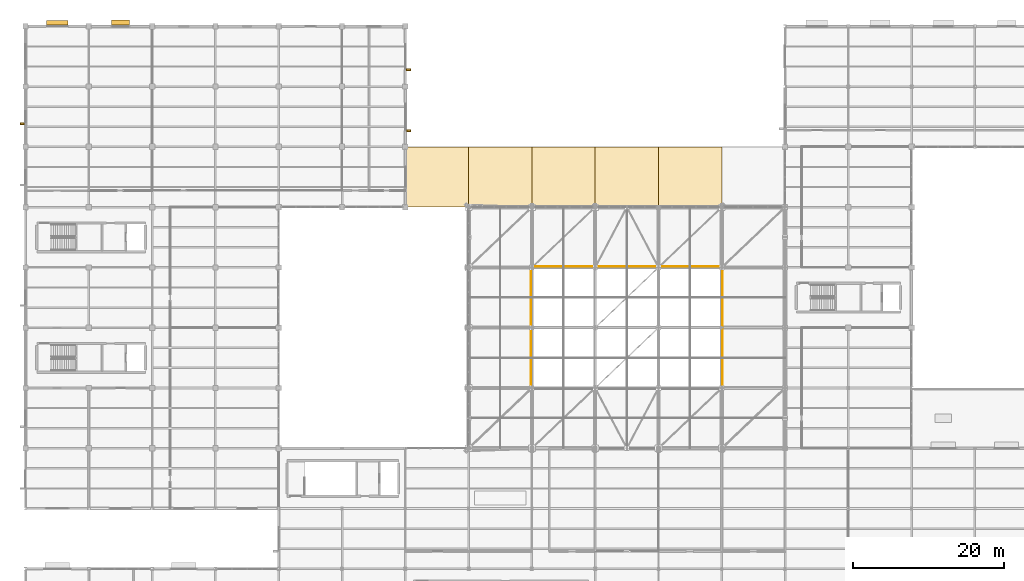
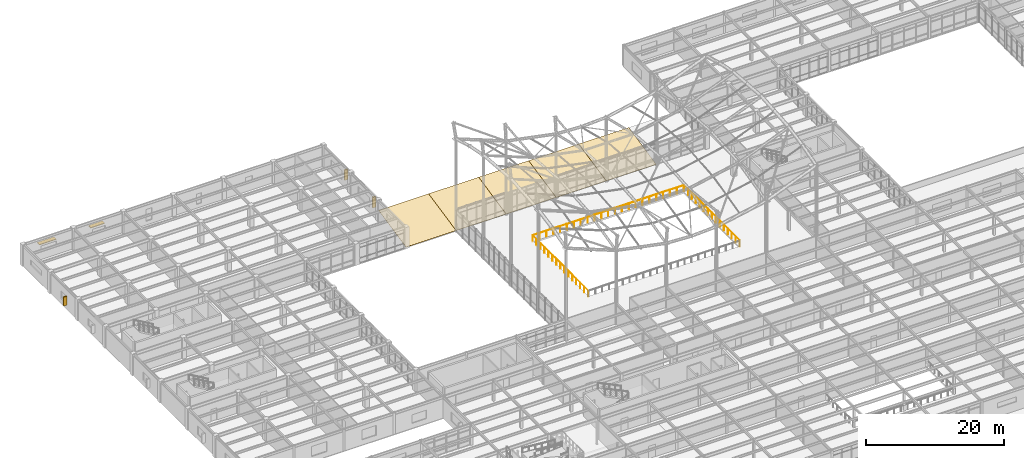
# One storey, part 134 of 138: 5 coverings, 5 shading devices, 3 railings.
"""IFC4 building model written with IfcOpenShell, lengths in metres."""

from ifc_helpers import new_model, si_unit, direction, frame, origin, origin_2d, place, context, subcontext, project, spatial, polyline, rectangle, circle, outline, extrude, material, layer, layer_set, type_object, element, save


model = new_model("IFC4")

# Units and contexts
model_context = context("Model", 3, precision=1e-05, world=origin(), true_north=direction((0.0, 1.0)))
body_context = subcontext(model_context, "Body", "Model", "MODEL_VIEW")
ifc_project = project(units=[si_unit("LENGTHUNIT", "METRE"), si_unit("AREAUNIT", "SQUARE_METRE"), si_unit("VOLUMEUNIT", "CUBIC_METRE"), si_unit("PLANEANGLEUNIT", "RADIAN"), si_unit("MASSUNIT", "GRAM", prefix="KILO")], contexts=[model_context])

# Site, building, storey
site_placement = place(None, origin())
site = spatial("IfcSite", under=ifc_project, at=site_placement, CompositionType="ELEMENT")
building_placement = place(site_placement, origin())
building = spatial("IfcBuilding", under=site, at=building_placement, Name="Kranzveld Transit Interchange", CompositionType="ELEMENT")
storey_placement = place(building_placement, frame((0.0, 0.0, 5.43994140625)))
storey = spatial("IfcBuildingStorey", under=building, at=storey_placement, Name="L01", CompositionType="ELEMENT", Elevation=5.43994140625)

# Railings
ifc_material_1 = material(Name="Steel S355JR", Category="steel")
railing_type = type_object("IfcRailingType", Name="Atrium Void Guardrail 1100", PredefinedType="GUARDRAIL", material=ifc_material_1)
railing_1_placement = place(storey_placement, frame((92.52001953125, 63.919921875, 0.0)))
element("IfcRailing", 1, at=railing_1_placement, inside=storey, type_object=railing_type, Name="L01 Atrium Void Guardrail VOID_L01_CONC-21", PredefinedType="GUARDRAIL", context=body_context, shape_type="SweptSolid", body=[
    extrude(circle(Radius=0.02392578125, at=origin_2d()), frame((0.0, 0.0, 1.076171875), z_axis=(0.0, 1.0, 0.0), x_axis=(-1.0, 0.0, 0.0)), (0.0, 0.0, 1.0), 16.16015625),
    extrude(circle(Radius=0.02099609375, at=origin_2d()), origin(), (0.0, 0.0, 1.0), 1.050048828125),
    extrude(circle(Radius=0.02099609375, at=origin_2d()), frame((0.0, 1.154296875, 0.0)), (0.0, 0.0, 1.0), 1.050048828125),
    extrude(circle(Radius=0.02099609375, at=origin_2d()), frame((0.0, 2.30859375, 0.0)), (0.0, 0.0, 1.0), 1.050048828125),
    extrude(circle(Radius=0.02099609375, at=origin_2d()), frame((0.0, 3.462890625, 0.0)), (0.0, 0.0, 1.0), 1.050048828125),
    extrude(circle(Radius=0.02099609375, at=origin_2d()), frame((0.0, 4.6171875, 0.0)), (0.0, 0.0, 1.0), 1.050048828125),
    extrude(circle(Radius=0.02099609375, at=origin_2d()), frame((0.0, 5.771484375, 0.0)), (0.0, 0.0, 1.0), 1.050048828125),
    extrude(circle(Radius=0.02099609375, at=origin_2d()), frame((0.0, 6.92578125, 0.0)), (0.0, 0.0, 1.0), 1.050048828125),
    extrude(circle(Radius=0.02099609375, at=origin_2d()), frame((0.0, 8.080078125, 0.0)), (0.0, 0.0, 1.0), 1.050048828125),
    extrude(circle(Radius=0.02099609375, at=origin_2d()), frame((0.0, 9.234375, 0.0)), (0.0, 0.0, 1.0), 1.050048828125),
    extrude(circle(Radius=0.02099609375, at=origin_2d()), frame((0.0, 10.388671875, 0.0)), (0.0, 0.0, 1.0), 1.050048828125),
    extrude(circle(Radius=0.02099609375, at=origin_2d()), frame((0.0, 11.54296875, 0.0)), (0.0, 0.0, 1.0), 1.050048828125),
    extrude(circle(Radius=0.02099609375, at=origin_2d()), frame((0.0, 12.697265625, 0.0)), (0.0, 0.0, 1.0), 1.050048828125),
    extrude(circle(Radius=0.02099609375, at=origin_2d()), frame((0.0, 13.8515625, 0.0)), (0.0, 0.0, 1.0), 1.050048828125),
    extrude(circle(Radius=0.02099609375, at=origin_2d()), frame((0.0, 15.005859375, 0.0)), (0.0, 0.0, 1.0), 1.050048828125),
    extrude(circle(Radius=0.02099609375, at=origin_2d()), frame((0.0, 16.16015625, 0.0)), (0.0, 0.0, 1.0), 1.050048828125),
])
railing_2_placement = place(storey_placement, frame((92.47998046875, 80.1201171875, 0.0)))
element("IfcRailing", 2, at=railing_2_placement, inside=storey, type_object=railing_type, Name="L01 Atrium Void Guardrail VOID_L01_CONC-22", PredefinedType="GUARDRAIL", context=body_context, shape_type="SweptSolid", body=[
    extrude(circle(Radius=0.02392578125, at=origin_2d()), frame((0.0, 0.0, 1.076171875), z_axis=(-1.0, 0.0, 0.0), x_axis=(0.0, -1.0, 0.0)), (0.0, 0.0, 1.0), 25.35986328125),
    extrude(circle(Radius=0.02099609375, at=origin_2d()), origin(), (0.0, 0.0, 1.0), 1.050048828125),
    extrude(circle(Radius=0.02099609375, at=origin_2d()), frame((-1.15283203125, 0.0, 0.0)), (0.0, 0.0, 1.0), 1.050048828125),
    extrude(circle(Radius=0.02099609375, at=origin_2d()), frame((-2.305419921875, 0.0, 0.0)), (0.0, 0.0, 1.0), 1.050048828125),
    extrude(circle(Radius=0.02099609375, at=origin_2d()), frame((-3.458251953125, 0.0, 0.0)), (0.0, 0.0, 1.0), 1.050048828125),
    extrude(circle(Radius=0.02099609375, at=origin_2d()), frame((-4.61083984375, 0.0, 0.0)), (0.0, 0.0, 1.0), 1.050048828125),
    extrude(circle(Radius=0.02099609375, at=origin_2d()), frame((-5.763671875, 0.0, 0.0)), (0.0, 0.0, 1.0), 1.050048828125),
    extrude(circle(Radius=0.02099609375, at=origin_2d()), frame((-6.916259765625, 0.0, 0.0)), (0.0, 0.0, 1.0), 1.050048828125),
    extrude(circle(Radius=0.02099609375, at=origin_2d()), frame((-8.069091796875, 0.0, 0.0)), (0.0, 0.0, 1.0), 1.050048828125),
    extrude(circle(Radius=0.02099609375, at=origin_2d()), frame((-9.2216796875, 0.0, 0.0)), (0.0, 0.0, 1.0), 1.050048828125),
    extrude(circle(Radius=0.02099609375, at=origin_2d()), frame((-10.37451171875, 0.0, 0.0)), (0.0, 0.0, 1.0), 1.050048828125),
    extrude(circle(Radius=0.02099609375, at=origin_2d()), frame((-11.527099609375, 0.0, 0.0)), (0.0, 0.0, 1.0), 1.050048828125),
    extrude(circle(Radius=0.02099609375, at=origin_2d()), frame((-12.679931640625, 0.0, 0.0)), (0.0, 0.0, 1.0), 1.050048828125),
    extrude(circle(Radius=0.02099609375, at=origin_2d()), frame((-13.832763671875, 0.0, 0.0)), (0.0, 0.0, 1.0), 1.050048828125),
    extrude(circle(Radius=0.02099609375, at=origin_2d()), frame((-14.9853515625, 0.0, 0.0)), (0.0, 0.0, 1.0), 1.050048828125),
    extrude(circle(Radius=0.02099609375, at=origin_2d()), frame((-16.13818359375, 0.0, 0.0)), (0.0, 0.0, 1.0), 1.050048828125),
    extrude(circle(Radius=0.02099609375, at=origin_2d()), frame((-17.290771484375, 0.0, 0.0)), (0.0, 0.0, 1.0), 1.050048828125),
    extrude(circle(Radius=0.02099609375, at=origin_2d()), frame((-18.443603515625, 0.0, 0.0)), (0.0, 0.0, 1.0), 1.050048828125),
    extrude(circle(Radius=0.02099609375, at=origin_2d()), frame((-19.59619140625, 0.0, 0.0)), (0.0, 0.0, 1.0), 1.050048828125),
    extrude(circle(Radius=0.02099609375, at=origin_2d()), frame((-20.7490234375, 0.0, 0.0)), (0.0, 0.0, 1.0), 1.050048828125),
    extrude(circle(Radius=0.02099609375, at=origin_2d()), frame((-21.901611328125, 0.0, 0.0)), (0.0, 0.0, 1.0), 1.050048828125),
    extrude(circle(Radius=0.02099609375, at=origin_2d()), frame((-23.054443359375, 0.0, 0.0)), (0.0, 0.0, 1.0), 1.050048828125),
    extrude(circle(Radius=0.02099609375, at=origin_2d()), frame((-24.20703125, 0.0, 0.0)), (0.0, 0.0, 1.0), 1.050048828125),
    extrude(circle(Radius=0.02099609375, at=origin_2d()), frame((-25.35986328125, 0.0, 0.0)), (0.0, 0.0, 1.0), 1.050048828125),
])
railing_3_placement = place(storey_placement, frame((67.080078125, 80.080078125, 0.0)))
element("IfcRailing", 3, at=railing_3_placement, inside=storey, type_object=railing_type, Name="L01 Atrium Void Guardrail VOID_L01_CONC-23", PredefinedType="GUARDRAIL", context=body_context, shape_type="SweptSolid", body=[
    extrude(circle(Radius=0.02392578125, at=origin_2d()), frame((0.0, 0.0, 1.076171875), z_axis=(0.0, -1.0, 0.0), x_axis=(1.0, 0.0, 0.0)), (0.0, 0.0, 1.0), 16.16015625),
    extrude(circle(Radius=0.02099609375, at=origin_2d()), origin(), (0.0, 0.0, 1.0), 1.050048828125),
    extrude(circle(Radius=0.02099609375, at=origin_2d()), frame((0.0, -1.154296875, 0.0)), (0.0, 0.0, 1.0), 1.050048828125),
    extrude(circle(Radius=0.02099609375, at=origin_2d()), frame((0.0, -2.30859375, 0.0)), (0.0, 0.0, 1.0), 1.050048828125),
    extrude(circle(Radius=0.02099609375, at=origin_2d()), frame((0.0, -3.462890625, 0.0)), (0.0, 0.0, 1.0), 1.050048828125),
    extrude(circle(Radius=0.02099609375, at=origin_2d()), frame((0.0, -4.6171875, 0.0)), (0.0, 0.0, 1.0), 1.050048828125),
    extrude(circle(Radius=0.02099609375, at=origin_2d()), frame((0.0, -5.771484375, 0.0)), (0.0, 0.0, 1.0), 1.050048828125),
    extrude(circle(Radius=0.02099609375, at=origin_2d()), frame((0.0, -6.92578125, 0.0)), (0.0, 0.0, 1.0), 1.050048828125),
    extrude(circle(Radius=0.02099609375, at=origin_2d()), frame((0.0, -8.080078125, 0.0)), (0.0, 0.0, 1.0), 1.050048828125),
    extrude(circle(Radius=0.02099609375, at=origin_2d()), frame((0.0, -9.234375, 0.0)), (0.0, 0.0, 1.0), 1.050048828125),
    extrude(circle(Radius=0.02099609375, at=origin_2d()), frame((0.0, -10.388671875, 0.0)), (0.0, 0.0, 1.0), 1.050048828125),
    extrude(circle(Radius=0.02099609375, at=origin_2d()), frame((0.0, -11.54296875, 0.0)), (0.0, 0.0, 1.0), 1.050048828125),
    extrude(circle(Radius=0.02099609375, at=origin_2d()), frame((0.0, -12.697265625, 0.0)), (0.0, 0.0, 1.0), 1.050048828125),
    extrude(circle(Radius=0.02099609375, at=origin_2d()), frame((0.0, -13.8515625, 0.0)), (0.0, 0.0, 1.0), 1.050048828125),
    extrude(circle(Radius=0.02099609375, at=origin_2d()), frame((0.0, -15.005859375, 0.0)), (0.0, 0.0, 1.0), 1.050048828125),
    extrude(circle(Radius=0.02099609375, at=origin_2d()), frame((0.0, -16.16015625, 0.0)), (0.0, 0.0, 1.0), 1.050048828125),
])

# Shading devices
ifc_material_2 = material(Name="Bronze-anodised thermally broken aluminium", Category="aluminium")
shading_device_type_1 = type_object("IfcShadingDeviceType", Name="East-West Deep Clinker Solar Fin", PredefinedType="USERDEFINED", material=ifc_material_2)
shading_device_1_placement = place(storey_placement, frame((-0.465087890625, 99.090087890625, 0.8251953125), z_axis=(0.0, 0.0, 1.0), x_axis=(0.0, 1.0, 0.0)))
element("IfcShadingDevice", 4, at=shading_device_1_placement, inside=storey, type_object=shading_device_type_1, Name="L01 Vertical Solar Fin 01/N", ObjectType="SOLAR FIN", PredefinedType="USERDEFINED", context=body_context, shape_type="SweptSolid", body=[
    extrude(rectangle(XDim=0.239990234375, YDim=0.550048828125, at=origin_2d()), origin(), (0.0, 0.0, 1.0), 1.550048828125),
])
shading_device_2_placement = place(storey_placement, frame((50.864990234375, 98.139892578125, 0.824951171875), z_axis=(0.0, 0.0, 1.0), x_axis=(0.0, 1.0, 0.0)))
element("IfcShadingDevice", 5, at=shading_device_2_placement, inside=storey, type_object=shading_device_type_1, Name="L01 Vertical Solar Fin 07/N", ObjectType="SOLAR FIN", PredefinedType="USERDEFINED", context=body_context, shape_type="SweptSolid", body=[
    extrude(rectangle(XDim=0.239990234375, YDim=0.550048828125, at=origin_2d()), origin(), (0.0, 0.0, 1.0), 1.85009765625),
])
shading_device_3_placement = place(storey_placement, frame((50.824951171875, 106.239990234375, 0.8251953125), z_axis=(0.0, 0.0, 1.0), x_axis=(0.0, 1.0, 0.0)))
element("IfcShadingDevice", 6, at=shading_device_3_placement, inside=storey, type_object=shading_device_type_1, Name="L01 Vertical Solar Fin 07/P", ObjectType="SOLAR FIN", PredefinedType="USERDEFINED", context=body_context, shape_type="SweptSolid", body=[
    extrude(rectangle(XDim=0.239990234375, YDim=0.550048828125, at=origin_2d()), origin(), (0.0, 0.0, 1.0), 1.800048828125),
])
ifc_material_3 = material(Name="Bronze-anodised thermally broken aluminium", Category="aluminium")
shading_device_type_2 = type_object("IfcShadingDeviceType", Name="North Overhang Solar Louvre Brise-Soleil", PredefinedType="JALOUSIE", material=ifc_material_3)
shading_device_4_placement = place(storey_placement, frame((4.199951171875, 112.47509765625, 2.39990234375), z_axis=(0.0, 0.0, 1.0), x_axis=(1.0, 0.0, 0.0)))
element("IfcShadingDevice", 7, at=shading_device_4_placement, inside=storey, type_object=shading_device_type_2, Name="L01 North Solar Louvre 01/Q", PredefinedType="JALOUSIE", context=body_context, shape_type="SweptSolid", body=[
    extrude(rectangle(XDim=2.85009765625, YDim=0.64990234375, at=origin_2d()), origin(), (0.0, 0.0, 1.0), 0.1201171875),
])
shading_device_5_placement = place(storey_placement, frame((12.60009765625, 112.514892578125, 2.35009765625), z_axis=(0.0, 0.0, 1.0), x_axis=(1.0, 0.0, 0.0)))
element("IfcShadingDevice", 8, at=shading_device_5_placement, inside=storey, type_object=shading_device_type_2, Name="L01 North Solar Louvre 02/Q", PredefinedType="JALOUSIE", context=body_context, shape_type="SweptSolid", body=[
    extrude(rectangle(XDim=2.35009765625, YDim=0.64990234375, at=origin_2d()), origin(), (0.0, 0.0, 1.0), 0.1201171875),
])

# Coverings
ifc_material_4 = material(Name="Standing-seam titanium-zinc roof sheeting", Category="steel")
ifc_layer = layer(ifc_material_4, 0.0400390625)
ifc_layer_set = layer_set([ifc_layer], Name="Standing-seam titanium-zinc roof sheeting")
covering_type = type_object("IfcCoveringType", Name="Standing-Seam Titanium-Zinc Roof Covering 40", PredefinedType="ROOFING", material=ifc_layer_set)
covering_1_placement = place(storey_placement, frame((50.39990234375, 88.0, 0.0400390625), z_axis=(0.0, -0.205509224959, 0.978655178527), x_axis=(1.0, 0.0, 0.0)))
element("IfcCovering", 9, at=covering_1_placement, inside=storey, type_object=covering_type, Name="Standing-Seam Zinc Roof Sheet 29", PredefinedType="ROOFING", context=body_context, shape_type="SweptSolid", body=[
    extrude(outline(polyline([(0.0, 0.0), (8.400146484375, 0.0), (8.400146484375, 8.174482877661008), (0.0, 8.174482877661008), (0.0, 0.0)])), origin(), (0.0, 0.0, -1.0), 0.0400390625),
])
covering_2_placement = place(storey_placement, frame((58.800048828125, 88.0, 0.0400390625), z_axis=(0.0, -0.205509224959, 0.978655178527), x_axis=(1.0, 0.0, 0.0)))
element("IfcCovering", 10, at=covering_2_placement, inside=storey, type_object=covering_type, Name="Standing-Seam Zinc Roof Sheet 30", PredefinedType="ROOFING", context=body_context, shape_type="SweptSolid", body=[
    extrude(outline(polyline([(0.0, 0.0), (8.39990234375, 0.0), (8.39990234375, 8.174482877661008), (0.0, 8.174482877661008), (0.0, 0.0)])), origin(), (0.0, 0.0, -1.0), 0.0400390625),
])
covering_3_placement = place(storey_placement, frame((67.199951171875, 88.0, 0.0400390625), z_axis=(0.0, -0.205509224959, 0.978655178527), x_axis=(1.0, 0.0, 0.0)))
element("IfcCovering", 11, at=covering_3_placement, inside=storey, type_object=covering_type, Name="Standing-Seam Zinc Roof Sheet 31", PredefinedType="ROOFING", context=body_context, shape_type="SweptSolid", body=[
    extrude(outline(polyline([(0.0, 0.0), (8.400146484375, 0.0), (8.400146484375, 8.174482877661008), (0.0, 8.174482877661008), (0.0, 0.0)])), origin(), (0.0, 0.0, -1.0), 0.0400390625),
])
for number, where, z_axis, x_axis, name in (
    (12, (75.60009765625, 88.0, 0.0400390625), (0.0, -0.205509224959, 0.978655178527), (1.0, 0.0, 0.0), "Standing-Seam Zinc Roof Sheet 32"),
    (13, (84.0, 88.0, 0.0400390625), (0.0, -0.205509224959, 0.978655178527), (1.0, 0.0, 0.0), "Standing-Seam Zinc Roof Sheet 33"),
):
    element("IfcCovering", number, at=place(storey_placement, frame(where, z_axis=z_axis, x_axis=x_axis)), inside=storey, type_object=covering_type, Name=name, PredefinedType="ROOFING", context=body_context, shape_type="SweptSolid", body=[
        extrude(outline(polyline([(0.0, 0.0), (8.39990234375, 0.0), (8.39990234375, 8.174482877661008), (0.0, 8.174482877661008), (0.0, 0.0)])), origin(), (0.0, 0.0, -1.0), 0.0400390625),
    ])

save(model, "model.ifc")
